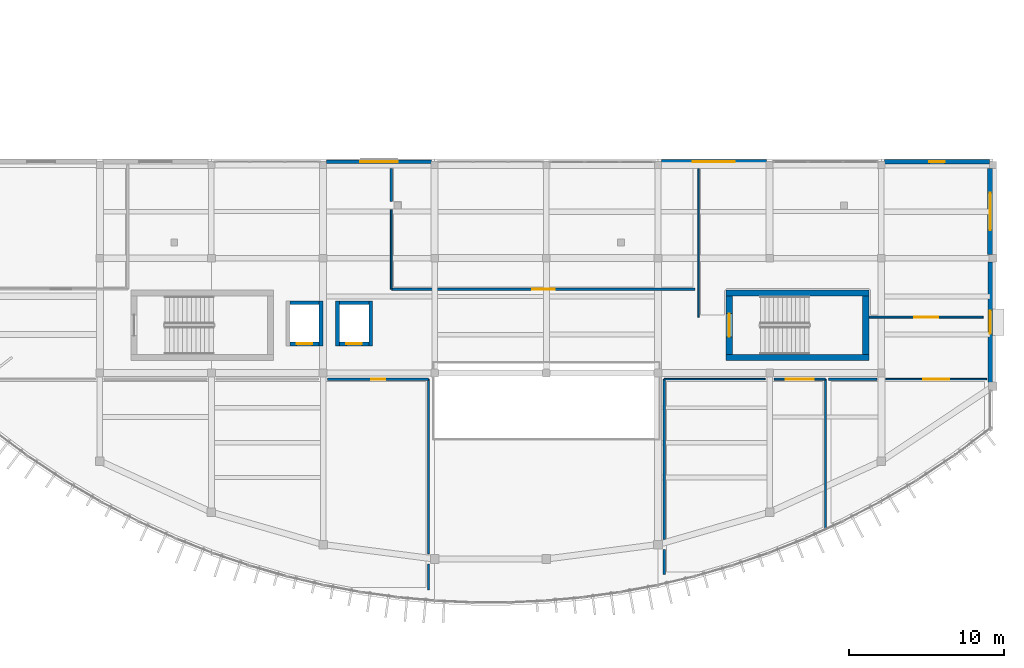
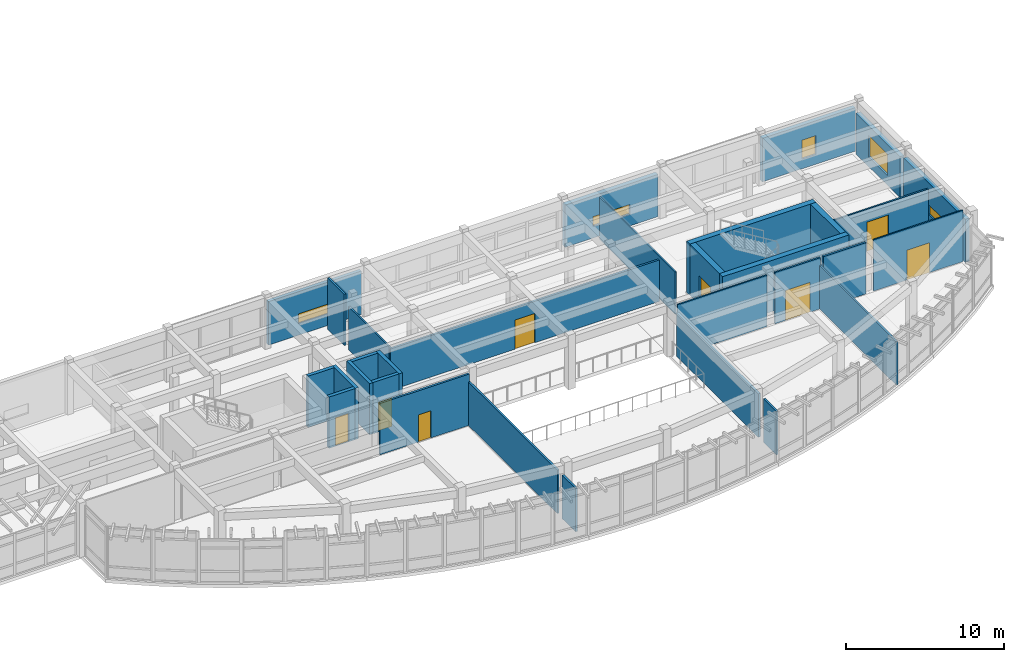
# One storey, part 41 of 60: 31 walls, 8 doors, 5 windows, 13 openings.
"""IFC4 building model written with IfcOpenShell, lengths in metres."""

import ifcopenshell
import ifcopenshell.guid

model = None  # the IFC model being written
_history = None  # IfcOwnerHistory: only IFC2X3 demands one
_inside = {}  # id of a spatial element -> (the spatial element, [elements in it])
_under = {}  # id of a project, library or spatial element -> (it, [spatial elements below it])
_declared = {}  # id of a project -> (the project, [libraries it declares])
_typed = {}  # id of a type object -> (the type object, [elements of that type])
_made_of = {}  # id of a material, layer set ... -> (it, [elements and type objects made of it])


def new_model(schema):
    """Start an empty IFC model of exactly this schema.

    Asked for "IFC4X3", IfcOpenShell would pick the latest addendum, in which some entities
    have other attributes; the version numbers below select the first issue.
    IFC2X3 requires an IfcOwnerHistory on every rooted entity: one is made here for all.
    """
    global model, _history
    if schema == "IFC4X3":
        model = ifcopenshell.file(schema_version=(4, 3, 0, 0))
    else:
        model = ifcopenshell.file(schema=schema)
    _inside.clear()
    _under.clear()
    _declared.clear()
    _typed.clear()
    _made_of.clear()
    _history = None
    if model.schema == "IFC2X3":
        org = make("IfcOrganization", Name="unknown")
        user = make(
            "IfcPersonAndOrganization",
            ThePerson=make("IfcPerson", FamilyName="unknown"),
            TheOrganization=org,
        )
        app = make(
            "IfcApplication",
            ApplicationDeveloper=org,
            Version="unknown",
            ApplicationFullName="unknown",
            ApplicationIdentifier="unknown",
        )
        _history = make(
            "IfcOwnerHistory",
            OwningUser=user,
            OwningApplication=app,
            ChangeAction="ADDED",
            CreationDate=0,
        )
    return model


def make(cls, **values):
    """One entity of the class cls with the attributes given. An attribute that is None is left unset."""
    return model.create_entity(
        cls, **{name: value for name, value in values.items() if value is not None}
    )


def rooted(cls, **values):
    """An entity with a GlobalId (a new one), such as an element, a storey or a relation."""
    return make(cls, GlobalId=ifcopenshell.guid.new(), OwnerHistory=_history, **values)


def si_unit(unit_type, name, prefix=None):
    """IfcSIUnit, for example si_unit("LENGTHUNIT", "METRE", prefix="MILLI")."""
    return make("IfcSIUnit", UnitType=unit_type, Prefix=prefix, Name=name)


def assignment(units):
    """IfcUnitAssignment: the units of a project."""
    return None if units is None else make("IfcUnitAssignment", Units=units)


def point(xyz):
    """IfcCartesianPoint."""
    return None if xyz is None else make("IfcCartesianPoint", Coordinates=xyz)


def direction(xyz):
    """IfcDirection."""
    return None if xyz is None else make("IfcDirection", DirectionRatios=xyz)


def frame(location, z_axis=None, x_axis=None):
    """IfcAxis2Placement3D, a coordinate frame: its origin and axes. An axis left out is left unset."""
    return make(
        "IfcAxis2Placement3D",
        Location=point(location),
        Axis=direction(z_axis),
        RefDirection=direction(x_axis),
    )


def frame_2d(location, x_axis=None):
    """IfcAxis2Placement2D, a coordinate frame in the plane: its origin and x axis."""
    return make(
        "IfcAxis2Placement2D", Location=point(location), RefDirection=direction(x_axis)
    )


def origin():
    """The frame at (0, 0, 0) with its axes left unset."""
    return frame((0.0, 0.0, 0.0))


def place(relative_to, where):
    """IfcLocalPlacement: puts the frame where relative to a parent placement (None: the world)."""
    return make(
        "IfcLocalPlacement", PlacementRelTo=relative_to, RelativePlacement=where
    )


def context(
    kind, dimensions, precision=None, world=None, true_north=None, identifier=None
):
    """IfcGeometricRepresentationContext, for example the 3D "Model" context."""
    return make(
        "IfcGeometricRepresentationContext",
        ContextIdentifier=identifier,
        ContextType=kind,
        CoordinateSpaceDimension=dimensions,
        Precision=precision,
        WorldCoordinateSystem=world,
        TrueNorth=true_north,
    )


def subcontext(parent, identifier, kind, view, scale=None):
    """IfcGeometricRepresentationSubContext, for example "Body" below "Model"."""
    return make(
        "IfcGeometricRepresentationSubContext",
        ContextIdentifier=identifier,
        ContextType=kind,
        ParentContext=parent,
        TargetScale=scale,
        TargetView=view,
    )


def project(units=None, contexts=None):
    """IfcProject with its units and contexts."""
    return rooted(
        "IfcProject",
        Name="project",
        RepresentationContexts=contexts,
        UnitsInContext=assignment(units),
    )


def spatial(cls, under=None, at=None, **own):
    """A site, building, storey or space (cls), placed at a placement, below another one or the project."""
    s = rooted(cls, ObjectPlacement=at, **own)
    if under is not None:
        _under.setdefault(under.id(), (under, []))[1].append(s)
    return s


def profile(cls, at=None, kind="AREA", **sizes):
    """A parametric profile (cls). Its sizes go by their IFC names, for example OverallWidth=200.0."""
    return make(cls, ProfileType=kind, Position=at, **sizes)


def rectangle(**sizes):
    """IfcRectangleProfileDef."""
    return profile("IfcRectangleProfileDef", **sizes)


def extrude(swept, where, along, depth):
    """IfcExtrudedAreaSolid: the profile swept, set in the frame where, extruded along a direction by depth."""
    return make(
        "IfcExtrudedAreaSolid",
        SweptArea=swept,
        Position=where,
        ExtrudedDirection=direction(along),
        Depth=depth,
    )


def shape(context_of_items, identifier, shape_type, items):
    """IfcShapeRepresentation: the items that make up one representation, for example the "Body"."""
    return make(
        "IfcShapeRepresentation",
        ContextOfItems=context_of_items,
        RepresentationIdentifier=identifier,
        RepresentationType=shape_type,
        Items=items,
    )


def material(Name=None, Category=None):
    """IfcMaterial."""
    return make("IfcMaterial", Name=Name, Category=Category)


def layer(
    of_material, thickness, ventilated=None, Name=None, Category=None, Priority=None
):
    """IfcMaterialLayer: one layer of a wall or slab, of a material (None: an air gap)."""
    return make(
        "IfcMaterialLayer",
        Material=of_material,
        LayerThickness=thickness,
        IsVentilated=ventilated,
        Name=Name,
        Category=Category,
        Priority=Priority,
    )


def layer_set(layers, Name=None):
    """IfcMaterialLayerSet."""
    return make("IfcMaterialLayerSet", MaterialLayers=layers, LayerSetName=Name)


def made_of(thing, what):
    """Note that an element or type object is made of a material, layer set ...; save() writes the relation."""
    if what is not None:
        _made_of.setdefault(what.id(), (what, []))[1].append(thing)
    return thing


def type_object(cls, material=None, **own):
    """A type object (cls), such as IfcWallType, which elements share."""
    return made_of(rooted(cls, **own), material)


def element(
    cls,
    number,
    at=None,
    inside=None,
    cuts=None,
    type_object=None,
    material=None,
    context=None,
    identifier="Body",
    shape_type=None,
    held_by="IfcProductDefinitionShape",
    body=None,
    shapes=None,
    **own,
):
    """One element of the class cls, such as IfcWall. Its Tag is "e" and its number.

    at: its placement. inside: the storey or other place that contains it. cuts: it is an
    opening in that element (IfcRelVoidsElement). A single representation is given by context,
    identifier, shape_type and body (its items); several are given by shapes. held_by: the class
    of the entity that holds the representations. save() writes the other relations.
    """
    e = rooted(cls, Tag="e%d" % number, ObjectPlacement=at, **own)
    if body is not None:
        shapes = [shape(context, identifier, shape_type, body)]
    if shapes is not None:
        e.Representation = make(held_by, Representations=shapes)
    if inside is not None:
        _inside.setdefault(inside.id(), (inside, []))[1].append(e)
    if cuts is not None:
        rooted(
            "IfcRelVoidsElement", RelatingBuildingElement=cuts, RelatedOpeningElement=e
        )
    if type_object is not None:
        _typed.setdefault(type_object.id(), (type_object, []))[1].append(e)
    return made_of(e, material)


def fill(opening, filler):
    """IfcRelFillsElement: the door or window that sits in an opening."""
    return rooted(
        "IfcRelFillsElement",
        RelatingOpeningElement=opening,
        RelatedBuildingElement=filler,
    )


def aggregate(whole, parts):
    """IfcRelAggregates: a whole, such as a stair, and the parts it consists of."""
    return rooted("IfcRelAggregates", RelatingObject=whole, RelatedObjects=parts)


def save(model, path):
    """Write the relations noted so far, then the file.

    IfcRelAggregates (storeys below a building ...), IfcRelContainedInSpatialStructure (elements
    in a storey), IfcRelDefinesByType, IfcRelAssociatesMaterial and IfcRelDeclares: one each for
    every whole, place, type object, material and project.
    """
    for whole, parts in _under.values():
        aggregate(whole, parts)
    for where, things in _inside.values():
        rooted(
            "IfcRelContainedInSpatialStructure",
            RelatedElements=things,
            RelatingStructure=where,
        )
    for kind, things in _typed.values():
        rooted("IfcRelDefinesByType", RelatedObjects=things, RelatingType=kind)
    for what, things in _made_of.values():
        rooted("IfcRelAssociatesMaterial", RelatedObjects=things, RelatingMaterial=what)
    for by, libraries in _declared.values():
        rooted("IfcRelDeclares", RelatingContext=by, RelatedDefinitions=libraries)
    model.write(path)


model = new_model("IFC4")

# Units and contexts
model_context = context("Model", 3, precision=1e-05, world=origin(), true_north=direction((0.0, 1.0)))
body_context = subcontext(model_context, "Body", "Model", "MODEL_VIEW")
ifc_project = project(units=[si_unit("LENGTHUNIT", "METRE"), si_unit("AREAUNIT", "SQUARE_METRE"), si_unit("VOLUMEUNIT", "CUBIC_METRE"), si_unit("PLANEANGLEUNIT", "RADIAN"), si_unit("MASSUNIT", "GRAM", prefix="KILO")], contexts=[model_context])

# Site, building, storey
site_placement = place(None, origin())
site = spatial("IfcSite", under=ifc_project, at=site_placement, CompositionType="ELEMENT")
building_placement = place(site_placement, origin())
building = spatial("IfcBuilding", under=site, at=building_placement, Name="Brisavento Harbour Community Centre", CompositionType="ELEMENT")
storey_placement = place(building_placement, frame((0.0, 0.0, 4.5)))
storey = spatial("IfcBuildingStorey", under=building, at=storey_placement, Name="L01", CompositionType="ELEMENT", Elevation=4.5)

# Walls
ifc_material_1 = material(Name="Concrete C40/50", Category="concrete")
ifc_layer_1 = layer(ifc_material_1, 0.39990234375, Name="Concrete C40/50")
ifc_layer_set_1 = layer_set([ifc_layer_1], Name="Concrete C40/50")
wall_type_1 = type_object("IfcWallType", Name="WL-CORE-400", PredefinedType="SHEAR", material=ifc_layer_set_1)
for number, where, z_axis, x_axis, name in (
    (1, (155.60009765625, 16.0, 0.0), (0.0, 0.0, 1.0), (1.0, 0.0, 0.0), "L01 core C3B shear wall L"),
    (2, (164.800048828125, 20.14990234375, 0.0), (0.0, 0.0, 1.0), (-1.0, 0.0, 0.0), "L01 core C3B shear wall R"),
):
    element("IfcWall", number, at=place(storey_placement, frame(where, z_axis=z_axis, x_axis=x_axis)), inside=storey, type_object=wall_type_1, Name=name, PredefinedType="SHEAR", context=body_context, shape_type="SweptSolid", body=[
        extrude(rectangle(XDim=9.199951171875, YDim=0.39990234375, at=frame_2d((4.60009765625, 0.0))), origin(), (0.0, 0.0, 1.0), 3.949951171875),
    ])
wall_1_placement = place(storey_placement, frame((164.60009765625, 16.199951171875, 0.0), z_axis=(0.0, 0.0, 1.0), x_axis=(0.0, 1.0, 0.0)))
element("IfcWall", 3, at=wall_1_placement, inside=storey, type_object=wall_type_1, Name="L01 core C3B shear wall F", PredefinedType="SHEAR", context=body_context, shape_type="SweptSolid", body=[
    extrude(rectangle(XDim=3.75, YDim=0.39990234375, at=frame_2d((1.875, 0.0))), origin(), (0.0, 0.0, 1.0), 3.949951171875),
])

# Wall, opening, door
wall_2_placement = place(storey_placement, frame((155.800048828125, 19.949951171875, 0.0), z_axis=(0.0, 0.0, 1.0), x_axis=(0.0, -1.0, 0.0)))
wall_2 = element("IfcWall", 4, at=wall_2_placement, inside=storey, type_object=wall_type_1, Name="L01 core C3B shear wall N", PredefinedType="SHEAR", context=body_context, shape_type="SweptSolid", body=[
    extrude(rectangle(XDim=3.75, YDim=0.39990234375, at=frame_2d((1.875, 0.0))), origin(), (0.0, 0.0, 1.0), 3.949951171875),
])
opening_1_placement = place(wall_2_placement, frame((1.125, 0.0, 0.0)))
opening_1 = element("IfcOpeningElement", 5, at=opening_1_placement, cuts=wall_2, Name="Opening SD-01", PredefinedType="OPENING", context=body_context, shape_type="SweptSolid", body=[
    extrude(rectangle(XDim=1.5, YDim=2.199951171875, at=frame_2d((0.75, 1.10009765625))), frame((0.0, 0.2099609375, 0.0), z_axis=(0.0, -1.0, 0.0), x_axis=(1.0, 0.0, 0.0)), (0.0, 0.0, 1.0), 0.419921875),
])
ifc_material_2 = material(Name="Fire-rated steel door assembly", Category="steel")
door_type_1 = type_object("IfcDoorType", Name="DR-STAIR-150x220", OperationType="NOTDEFINED", PredefinedType="DOOR", material=ifc_material_2)
door_1_placement = place(opening_1_placement, origin())
door_1 = element("IfcDoor", 6, at=door_1_placement, inside=storey, type_object=door_type_1, Name="L01 exit stair ST-05 fire door", OperationType="SINGLE_SWING_RIGHT", OverallHeight=2.199951171875, OverallWidth=1.5, PredefinedType="DOOR", context=body_context, shape_type="SweptSolid", body=[
    extrude(rectangle(XDim=1.5, YDim=2.199951171875, at=frame_2d((0.75, 1.10009765625))), frame((0.0, 0.02490234375, 0.0), z_axis=(0.0, -1.0, 0.0), x_axis=(1.0, 0.0, 0.0)), (0.0, 0.0, 1.0), 0.050048828125),
])
fill(opening_1, door_1)

# Wall, opening, window
ifc_material_3 = material(Name="Terracotta masonry unit", Category="masonry")
ifc_layer_2 = layer(ifc_material_3, 0.239990234375, Name="Terracotta masonry unit")
ifc_layer_set_2 = layer_set([ifc_layer_2], Name="Terracotta masonry unit")
wall_type_2 = type_object("IfcWallType", Name="WL-EXT-240", PredefinedType="SOLIDWALL", material=ifc_layer_set_2)
wall_3_placement = place(storey_placement, frame((129.81005859375, 28.6201171875, 0.0), z_axis=(0.0, 0.0, 1.0), x_axis=(1.0, 0.0, 0.0)))
wall_3 = element("IfcWall", 7, at=wall_3_placement, inside=storey, type_object=wall_type_2, Name="L01 V3 exterior wall 0183", PredefinedType="SOLIDWALL", context=body_context, shape_type="SweptSolid", body=[
    extrude(rectangle(XDim=6.780029296875, YDim=0.239990234375, at=frame_2d((3.39013671875, 0.0))), origin(), (0.0, 0.0, 1.0), 3.35009765625),
])
opening_2_placement = place(wall_3_placement, frame((2.18994140625, 0.0, 0.89990234375)))
opening_2 = element("IfcOpeningElement", 8, at=opening_2_placement, cuts=wall_3, Name="Opening W-27", PredefinedType="OPENING", context=body_context, shape_type="SweptSolid", body=[
    extrude(rectangle(XDim=2.39990234375, YDim=0.75, at=frame_2d((1.199951171875, 0.375))), frame((0.0, 0.1298828125, 0.0), z_axis=(0.0, -1.0, 0.0), x_axis=(1.0, 0.0, 0.0)), (0.0, 0.0, 1.0), 0.260009765625),
])
ifc_material_4 = material(Name="Solar-control laminated low-E glass", Category="glass")
window_type_1 = type_object("IfcWindowType", Name="WIN-CAS-27", PartitioningType="SINGLE_PANEL", PredefinedType="WINDOW", material=ifc_material_4)
window_1_placement = place(opening_2_placement, origin())
window_1 = element("IfcWindow", 9, at=window_1_placement, inside=storey, type_object=window_type_1, Name="L01 V3 impact casement window 0063", OverallHeight=0.75, OverallWidth=2.39990234375, PartitioningType="SINGLE_PANEL", PredefinedType="WINDOW", context=body_context, shape_type="SweptSolid", body=[
    extrude(rectangle(XDim=2.39990234375, YDim=0.75, at=frame_2d((1.199951171875, 0.375))), frame((0.0, 0.030029296875, 0.0), z_axis=(0.0, -1.0, 0.0), x_axis=(1.0, 0.0, 0.0)), (0.0, 0.0, 1.0), 0.06005859375),
])
fill(opening_2, window_1)

ifc_material_5 = material(Name="Concrete C35/45", Category="concrete")
ifc_layer_3 = layer(ifc_material_5, 0.300048828125, Name="Concrete C35/45")
ifc_layer_set_3 = layer_set([ifc_layer_3], Name="Concrete C35/45")
wall_type_3 = type_object("IfcWallType", Name="WL-EXT-300", PredefinedType="SOLIDWALL", material=ifc_layer_set_3)
wall_4_placement = place(storey_placement, frame((172.6201171875, 22.1650390625, 0.0), z_axis=(0.0, 0.0, 1.0), x_axis=(0.0, -1.0, 0.0)))
wall_4 = element("IfcWall", 10, at=wall_4_placement, inside=storey, type_object=wall_type_3, Name="L01 V3 exterior wall 0180", PredefinedType="SOLIDWALL", context=body_context, shape_type="SweptSolid", body=[
    extrude(rectangle(XDim=7.777099609375, YDim=0.300048828125, at=frame_2d((3.888671875, 0.0))), origin(), (0.0, 0.0, 1.0), 3.330078125),
])
opening_3_placement = place(wall_4_placement, frame((3.138427734375, 0.0, 0.89990234375)))
opening_3 = element("IfcOpeningElement", 11, at=opening_3_placement, cuts=wall_4, Name="Opening W-24", PredefinedType="OPENING", context=body_context, shape_type="SweptSolid", body=[
    extrude(rectangle(XDim=1.5, YDim=0.75, at=frame_2d((0.75, 0.375))), frame((0.0, 0.16015625, 0.0), z_axis=(0.0, -1.0, 0.0), x_axis=(1.0, 0.0, 0.0)), (0.0, 0.0, 1.0), 0.320068359375),
])
window_type_2 = type_object("IfcWindowType", Name="WIN-CAS-24", PartitioningType="SINGLE_PANEL", PredefinedType="WINDOW", material=ifc_material_4)
window_2_placement = place(opening_3_placement, origin())
window_2 = element("IfcWindow", 12, at=window_2_placement, inside=storey, type_object=window_type_2, Name="L01 V3 impact casement window 0060", OverallHeight=0.75, OverallWidth=1.5, PartitioningType="SINGLE_PANEL", PredefinedType="WINDOW", context=body_context, shape_type="SweptSolid", body=[
    extrude(rectangle(XDim=1.5, YDim=0.75, at=frame_2d((0.75, 0.375))), frame((0.0, 0.030029296875, 0.0), z_axis=(0.0, -1.0, 0.0), x_axis=(1.0, 0.0, 0.0)), (0.0, 0.0, 1.0), 0.06005859375),
])
fill(opening_3, window_2)

wall_5_placement = place(storey_placement, frame((165.81005859375, 28.6201171875, 0.0), z_axis=(0.0, 0.0, 1.0), x_axis=(1.0, 0.0, 0.0)))
wall_5 = element("IfcWall", 13, at=wall_5_placement, inside=storey, type_object=wall_type_3, Name="L01 V3 exterior wall 0185", PredefinedType="SOLIDWALL", context=body_context, shape_type="SweptSolid", body=[
    extrude(rectangle(XDim=6.780029296875, YDim=0.300048828125, at=frame_2d((3.39013671875, 0.0))), origin(), (0.0, 0.0, 1.0), 3.35009765625),
])
opening_4_placement = place(wall_5_placement, frame((2.889892578125, 0.0, 0.75)))
opening_4 = element("IfcOpeningElement", 14, at=opening_4_placement, cuts=wall_5, Name="Opening W-29", PredefinedType="OPENING", context=body_context, shape_type="SweptSolid", body=[
    extrude(rectangle(XDim=1.0, YDim=1.449951171875, at=frame_2d((0.5, 0.72509765625))), frame((0.0, 0.16015625, 0.0), z_axis=(0.0, -1.0, 0.0), x_axis=(1.0, 0.0, 0.0)), (0.0, 0.0, 1.0), 0.320068359375),
])
window_type_3 = type_object("IfcWindowType", Name="WIN-CAS-29", PartitioningType="SINGLE_PANEL", PredefinedType="WINDOW", material=ifc_material_4)
window_3_placement = place(opening_4_placement, origin())
window_3 = element("IfcWindow", 15, at=window_3_placement, inside=storey, type_object=window_type_3, Name="L01 V3 impact casement window 0065", OverallHeight=1.449951171875, OverallWidth=1.0, PartitioningType="SINGLE_PANEL", PredefinedType="WINDOW", context=body_context, shape_type="SweptSolid", body=[
    extrude(rectangle(XDim=1.0, YDim=1.449951171875, at=frame_2d((0.5, 0.72509765625))), frame((0.0, 0.030029296875, 0.0), z_axis=(0.0, -1.0, 0.0), x_axis=(1.0, 0.0, 0.0)), (0.0, 0.0, 1.0), 0.06005859375),
])
fill(opening_4, window_3)

ifc_layer_4 = layer(ifc_material_5, 0.320068359375, Name="Concrete C35/45")
ifc_layer_set_4 = layer_set([ifc_layer_4], Name="Concrete C35/45")
wall_type_4 = type_object("IfcWallType", Name="WL-EXT-320", PredefinedType="SOLIDWALL", material=ifc_layer_set_4)
wall_6_placement = place(storey_placement, frame((172.6201171875, 28.18994140625, 0.0), z_axis=(0.0, 0.0, 1.0), x_axis=(0.0, -1.0, 0.0)))
wall_6 = element("IfcWall", 16, at=wall_6_placement, inside=storey, type_object=wall_type_4, Name="L01 V3 exterior wall 0179", PredefinedType="SOLIDWALL", context=body_context, shape_type="SweptSolid", body=[
    extrude(rectangle(XDim=5.554931640625, YDim=0.320068359375, at=frame_2d((2.77734375, 0.0))), origin(), (0.0, 0.0, 1.0), 3.14990234375),
])
opening_5_placement = place(wall_6_placement, frame((1.577392578125, 0.0, 0.75)))
opening_5 = element("IfcOpeningElement", 17, at=opening_5_placement, cuts=wall_6, Name="Opening W-23", PredefinedType="OPENING", context=body_context, shape_type="SweptSolid", body=[
    extrude(rectangle(XDim=2.39990234375, YDim=1.64990234375, at=frame_2d((1.199951171875, 0.824951171875))), frame((0.0, 0.169921875, 0.0), z_axis=(0.0, -1.0, 0.0), x_axis=(1.0, 0.0, 0.0)), (0.0, 0.0, 1.0), 0.340087890625),
])
window_type_4 = type_object("IfcWindowType", Name="WIN-CAS-23", PartitioningType="SINGLE_PANEL", PredefinedType="WINDOW", material=ifc_material_4)
window_4_placement = place(opening_5_placement, origin())
window_4 = element("IfcWindow", 18, at=window_4_placement, inside=storey, type_object=window_type_4, Name="L01 V3 impact casement window 0059", OverallHeight=1.64990234375, OverallWidth=2.39990234375, PartitioningType="SINGLE_PANEL", PredefinedType="WINDOW", context=body_context, shape_type="SweptSolid", body=[
    extrude(rectangle(XDim=2.39990234375, YDim=1.64990234375, at=frame_2d((1.199951171875, 0.824951171875))), frame((0.0, 0.030029296875, 0.0), z_axis=(0.0, -1.0, 0.0), x_axis=(1.0, 0.0, 0.0)), (0.0, 0.0, 1.0), 0.06005859375),
])
fill(opening_5, window_4)

wall_7_placement = place(storey_placement, frame((151.409912109375, 28.6201171875, 0.0), z_axis=(0.0, 0.0, 1.0), x_axis=(1.0, 0.0, 0.0)))
wall_7 = element("IfcWall", 19, at=wall_7_placement, inside=storey, type_object=wall_type_4, Name="L01 V3 exterior wall 0184", PredefinedType="SOLIDWALL", context=body_context, shape_type="SweptSolid", body=[
    extrude(rectangle(XDim=6.780029296875, YDim=0.320068359375, at=frame_2d((3.39013671875, 0.0))), origin(), (0.0, 0.0, 1.0), 3.25),
])
opening_6_placement = place(wall_7_placement, frame((2.0400390625, 0.0, 0.89990234375)))
opening_6 = element("IfcOpeningElement", 20, at=opening_6_placement, cuts=wall_7, Name="Opening W-28", PredefinedType="OPENING", context=body_context, shape_type="SweptSolid", body=[
    extrude(rectangle(XDim=2.699951171875, YDim=0.75, at=frame_2d((1.35009765625, 0.375))), frame((0.0, 0.169921875, 0.0), z_axis=(0.0, -1.0, 0.0), x_axis=(1.0, 0.0, 0.0)), (0.0, 0.0, 1.0), 0.340087890625),
])
window_type_5 = type_object("IfcWindowType", Name="WIN-CAS-28", PartitioningType="SINGLE_PANEL", PredefinedType="WINDOW", material=ifc_material_4)
window_5_placement = place(opening_6_placement, origin())
window_5 = element("IfcWindow", 21, at=window_5_placement, inside=storey, type_object=window_type_5, Name="L01 V3 impact casement window 0064", OverallHeight=0.75, OverallWidth=2.699951171875, PartitioningType="SINGLE_PANEL", PredefinedType="WINDOW", context=body_context, shape_type="SweptSolid", body=[
    extrude(rectangle(XDim=2.699951171875, YDim=0.75, at=frame_2d((1.35009765625, 0.375))), frame((0.0, 0.030029296875, 0.0), z_axis=(0.0, -1.0, 0.0), x_axis=(1.0, 0.0, 0.0)), (0.0, 0.0, 1.0), 0.06005859375),
])
fill(opening_6, window_5)

# Wall
ifc_material_6 = material(Name="Lightweight stud partition", Category="other")
ifc_layer_5 = layer(ifc_material_6, 0.10009765625, Name="Lightweight stud partition")
ifc_layer_set_5 = layer_set([ifc_layer_5], Name="Lightweight stud partition")
wall_type_5 = type_object("IfcWallType", Name="WL-PRT-100", PredefinedType="PARTITIONING", material=ifc_layer_set_5)
wall_8_placement = place(storey_placement, frame((158.110107421875, 14.60009765625, 0.0), z_axis=(0.0, 0.0, 1.0), x_axis=(-1.0, 0.0, 0.0)))
element("IfcWall", 22, at=wall_8_placement, inside=storey, type_object=wall_type_5, Name="L01 Adult Classroom 101 partition 0163", PredefinedType="PARTITIONING", context=body_context, shape_type="SweptSolid", body=[
    extrude(rectangle(XDim=6.510009765625, YDim=0.10009765625, at=frame_2d((3.2548828125, 0.0))), origin(), (0.0, 0.0, 1.0), 3.949951171875),
])

# Wall, opening, door
wall_9_placement = place(storey_placement, frame((172.39990234375, 14.60009765625, 0.0), z_axis=(0.0, 0.0, 1.0), x_axis=(-1.0, 0.0, 0.0)))
wall_9 = element("IfcWall", 23, at=wall_9_placement, inside=storey, type_object=wall_type_5, Name="L01 Adult Classroom 102 partition 0167", PredefinedType="PARTITIONING", context=body_context, shape_type="SweptSolid", body=[
    extrude(rectangle(XDim=6.510009765625, YDim=0.10009765625, at=frame_2d((3.2548828125, 0.0))), origin(), (0.0, 0.0, 1.0), 3.949951171875),
])
opening_7_placement = place(wall_9_placement, frame((2.429931640625, 0.0, 0.0)))
opening_7 = element("IfcOpeningElement", 24, at=opening_7_placement, cuts=wall_9, Name="Opening ID-02", PredefinedType="OPENING", context=body_context, shape_type="SweptSolid", body=[
    extrude(rectangle(XDim=1.64990234375, YDim=2.300048828125, at=frame_2d((0.824951171875, 1.14990234375))), frame((0.0, 0.06005859375, 0.0), z_axis=(0.0, -1.0, 0.0), x_axis=(1.0, 0.0, 0.0)), (0.0, 0.0, 1.0), 0.1201171875),
])
ifc_material_7 = material(Name="Solid-core tropical timber door", Category="wood")
door_type_2 = type_object("IfcDoorType", Name="DR-INT-165x230", OperationType="NOTDEFINED", PredefinedType="DOOR", material=ifc_material_7)
door_2_placement = place(opening_7_placement, origin())
door_2 = element("IfcDoor", 25, at=door_2_placement, inside=storey, type_object=door_type_2, Name="L01 Adult Classroom 102 door 0057", OperationType="SINGLE_SWING_RIGHT", OverallHeight=2.300048828125, OverallWidth=1.64990234375, PredefinedType="DOOR", context=body_context, shape_type="SweptSolid", body=[
    extrude(rectangle(XDim=1.64990234375, YDim=2.300048828125, at=frame_2d((0.824951171875, 1.14990234375))), frame((0.0, 0.02490234375, 0.0), z_axis=(0.0, -1.0, 0.0), x_axis=(1.0, 0.0, 0.0)), (0.0, 0.0, 1.0), 0.050048828125),
])
fill(opening_7, door_2)

# Wall
wall_10_placement = place(storey_placement, frame((153.800048828125, 28.169921875, 0.0), z_axis=(0.0, 0.0, 1.0), x_axis=(0.0, -1.0, 0.0)))
element("IfcWall", 26, at=wall_10_placement, inside=storey, type_object=wall_type_5, Name="L01 Local History Reading Room partition 0171", PredefinedType="PARTITIONING", context=body_context, shape_type="SweptSolid", body=[
    extrude(rectangle(XDim=9.56982421875, YDim=0.10009765625, at=frame_2d((4.784912109375, 0.0))), origin(), (0.0, 0.0, 1.0), 3.25),
])

# Wall, opening, door
ifc_material_8 = material(Name="Gypsum metal-stud partition", Category="other")
ifc_layer_6 = layer(ifc_material_8, 0.1201171875, Name="Gypsum metal-stud partition")
ifc_layer_set_6 = layer_set([ifc_layer_6], Name="Gypsum metal-stud partition")
wall_type_6 = type_object("IfcWallType", Name="WL-PRT-120", PredefinedType="PARTITIONING", material=ifc_layer_set_6)
wall_11_placement = place(storey_placement, frame((162.0, 14.60009765625, 0.0), z_axis=(0.0, 0.0, 1.0), x_axis=(-1.0, 0.0, 0.0)))
wall_11 = element("IfcWall", 27, at=wall_11_placement, inside=storey, type_object=wall_type_6, Name="L01 Adult Classroom 101 partition 0162", PredefinedType="PARTITIONING", context=body_context, shape_type="SweptSolid", body=[
    extrude(rectangle(XDim=3.31005859375, YDim=0.1201171875, at=frame_2d((1.655029296875, 0.0))), origin(), (0.0, 0.0, 1.0), 3.949951171875),
])
opening_8_placement = place(wall_11_placement, frame((0.7548828125, 0.0, 0.0)))
opening_8 = element("IfcOpeningElement", 28, at=opening_8_placement, cuts=wall_11, Name="Opening ID-01", PredefinedType="OPENING", context=body_context, shape_type="SweptSolid", body=[
    extrude(rectangle(XDim=1.800048828125, YDim=2.300048828125, at=frame_2d((0.89990234375, 1.14990234375))), frame((0.0, 0.070068359375, 0.0), z_axis=(0.0, -1.0, 0.0), x_axis=(1.0, 0.0, 0.0)), (0.0, 0.0, 1.0), 0.14013671875),
])
door_type_3 = type_object("IfcDoorType", Name="DR-INT-180x230", OperationType="NOTDEFINED", PredefinedType="DOOR", material=ifc_material_7)
door_3_placement = place(opening_8_placement, origin())
door_3 = element("IfcDoor", 29, at=door_3_placement, inside=storey, type_object=door_type_3, Name="L01 Adult Classroom 101 door 0056", OperationType="SINGLE_SWING_LEFT", OverallHeight=2.300048828125, OverallWidth=1.800048828125, PredefinedType="DOOR", context=body_context, shape_type="SweptSolid", body=[
    extrude(rectangle(XDim=1.800048828125, YDim=2.300048828125, at=frame_2d((0.89990234375, 1.14990234375))), frame((0.0, 0.02490234375, 0.0), z_axis=(0.0, -1.0, 0.0), x_axis=(1.0, 0.0, 0.0)), (0.0, 0.0, 1.0), 0.050048828125),
])
fill(opening_8, door_3)

# Wall
wall_12_placement = place(storey_placement, frame((162.0, 4.87060546875, 0.0), z_axis=(0.0, 0.0, 1.0), x_axis=(0.0, 1.0, 0.0)))
element("IfcWall", 30, at=wall_12_placement, inside=storey, type_object=wall_type_6, Name="L01 Adult Classroom 101 partition 0166", PredefinedType="PARTITIONING", context=body_context, shape_type="SweptSolid", body=[
    extrude(rectangle(XDim=9.7294921875, YDim=0.1201171875, at=frame_2d((4.86474609375, 0.0))), origin(), (0.0, 0.0, 1.0), 3.35009765625),
])

# Wall, opening, door
wall_13_placement = place(storey_placement, frame((164.81005859375, 18.60009765625, 0.0), z_axis=(0.0, 0.0, 1.0), x_axis=(1.0, 0.0, 0.0)))
wall_13 = element("IfcWall", 31, at=wall_13_placement, inside=storey, type_object=wall_type_6, Name="L01 Local History Reading Room partition 0170", PredefinedType="PARTITIONING", context=body_context, shape_type="SweptSolid", body=[
    extrude(rectangle(XDim=7.35986328125, YDim=0.1201171875, at=frame_2d((3.679931640625, 0.0))), origin(), (0.0, 0.0, 1.0), 3.25),
])
opening_9_placement = place(wall_13_placement, frame((2.905029296875, 0.0, 0.0)))
opening_9 = element("IfcOpeningElement", 32, at=opening_9_placement, cuts=wall_13, Name="Opening ID-03", PredefinedType="OPENING", context=body_context, shape_type="SweptSolid", body=[
    extrude(rectangle(XDim=1.550048828125, YDim=2.25, at=frame_2d((0.77490234375, 1.125))), frame((0.0, 0.070068359375, 0.0), z_axis=(0.0, -1.0, 0.0), x_axis=(1.0, 0.0, 0.0)), (0.0, 0.0, 1.0), 0.14013671875),
])
door_type_4 = type_object("IfcDoorType", Name="DR-INT-155x225", OperationType="NOTDEFINED", PredefinedType="DOOR", material=ifc_material_7)
door_4_placement = place(opening_9_placement, origin())
door_4 = element("IfcDoor", 33, at=door_4_placement, inside=storey, type_object=door_type_4, Name="L01 Local History Reading Room door 0058", OperationType="SINGLE_SWING_LEFT", OverallHeight=2.25, OverallWidth=1.550048828125, PredefinedType="DOOR", context=body_context, shape_type="SweptSolid", body=[
    extrude(rectangle(XDim=1.550048828125, YDim=2.25, at=frame_2d((0.77490234375, 1.125))), frame((0.0, 0.02490234375, 0.0), z_axis=(0.0, -1.0, 0.0), x_axis=(1.0, 0.0, 0.0)), (0.0, 0.0, 1.0), 0.050048828125),
])
fill(opening_9, door_4)

# Walls
wall_14_placement = place(storey_placement, frame((134.0, 25.534912109375, 0.0), z_axis=(0.0, 0.0, 1.0), x_axis=(0.0, -1.0, 0.0)))
element("IfcWall", 34, at=wall_14_placement, inside=storey, type_object=wall_type_6, Name="L01 Community Computer Study Room partition 0174", PredefinedType="PARTITIONING", context=body_context, shape_type="SweptSolid", body=[
    extrude(rectangle(XDim=5.135009765625, YDim=0.1201171875, at=frame_2d((2.5673828125, 0.0))), origin(), (0.0, 0.0, 1.0), 3.330078125),
])
ifc_layer_7 = layer(ifc_material_8, 0.139892578125, Name="Gypsum metal-stud partition")
ifc_layer_set_7 = layer_set([ifc_layer_7], Name="Gypsum metal-stud partition")
wall_type_7 = type_object("IfcWallType", Name="WL-PRT-140", PredefinedType="PARTITIONING", material=ifc_layer_set_7)
wall_15_placement = place(storey_placement, frame((136.39990234375, 3.31494140625, 0.0), z_axis=(0.0, 0.0, 1.0), x_axis=(0.0, 1.0, 0.0)))
element("IfcWall", 35, at=wall_15_placement, inside=storey, type_object=wall_type_7, Name="L01 Public Library Lending Hall partition 0161", PredefinedType="PARTITIONING", context=body_context, shape_type="SweptSolid", body=[
    extrude(rectangle(XDim=11.28515625, YDim=0.139892578125, at=frame_2d((5.642578125, 0.0))), origin(), (0.0, 0.0, 1.0), 3.35009765625),
])
wall_16_placement = place(storey_placement, frame((151.60009765625, 3.618896484375, 0.0), z_axis=(0.0, 0.0, 1.0), x_axis=(0.0, -1.0, 0.0)))
element("IfcWall", 36, at=wall_16_placement, inside=storey, type_object=wall_type_7, Name="L01 Adult Classroom 101 partition 0165", PredefinedType="PARTITIONING", context=body_context, shape_type="SweptSolid", body=[
    extrude(rectangle(XDim=1.618896484375, YDim=0.139892578125, at=frame_2d((0.8095703125, 0.0))), origin(), (0.0, 0.0, 1.0), 3.35009765625),
])
wall_17_placement = place(storey_placement, frame((134.0, 28.169921875, 0.0), z_axis=(0.0, 0.0, 1.0), x_axis=(0.0, -1.0, 0.0)))
element("IfcWall", 37, at=wall_17_placement, inside=storey, type_object=wall_type_7, Name="L01 Community Computer Study Room partition 0173", PredefinedType="PARTITIONING", context=body_context, shape_type="SweptSolid", body=[
    extrude(rectangle(XDim=2.10498046875, YDim=0.139892578125, at=frame_2d((1.052490234375, 0.0))), origin(), (0.0, 0.0, 1.0), 3.949951171875),
])

# Wall, opening, door
ifc_material_9 = material(Name="Moisture-resistant stud partition", Category="other")
ifc_layer_8 = layer(ifc_material_9, 0.14990234375, Name="Moisture-resistant stud partition")
ifc_layer_set_8 = layer_set([ifc_layer_8], Name="Moisture-resistant stud partition")
wall_type_8 = type_object("IfcWallType", Name="WL-PRT-150", PredefinedType="PARTITIONING", material=ifc_layer_set_8)
wall_18_placement = place(storey_placement, frame((136.39990234375, 14.60009765625, 0.0), z_axis=(0.0, 0.0, 1.0), x_axis=(-1.0, 0.0, 0.0)))
wall_18 = element("IfcWall", 38, at=wall_18_placement, inside=storey, type_object=wall_type_8, Name="L01 Public Library Lending Hall partition 0156", PredefinedType="PARTITIONING", context=body_context, shape_type="SweptSolid", body=[
    extrude(rectangle(XDim=6.510009765625, YDim=0.14990234375, at=frame_2d((3.2548828125, 0.0))), origin(), (0.0, 0.0, 1.0), 3.949951171875),
])
opening_10_placement = place(wall_18_placement, frame((2.804931640625, 0.0, 0.0)))
opening_10 = element("IfcOpeningElement", 39, at=opening_10_placement, cuts=wall_18, Name="Opening ID-11", PredefinedType="OPENING", context=body_context, shape_type="SweptSolid", body=[
    extrude(rectangle(XDim=0.89990234375, YDim=2.10009765625, at=frame_2d((0.449951171875, 1.050048828125))), frame((0.0, 0.0849609375, 0.0), z_axis=(0.0, -1.0, 0.0), x_axis=(1.0, 0.0, 0.0)), (0.0, 0.0, 1.0), 0.169921875),
])
door_type_5 = type_object("IfcDoorType", Name="DR-INT-090x210", OperationType="NOTDEFINED", PredefinedType="DOOR", material=ifc_material_7)
door_5_placement = place(opening_10_placement, origin())
door_5 = element("IfcDoor", 40, at=door_5_placement, inside=storey, type_object=door_type_5, Name="L01 Public Library Lending Hall door 0055", OperationType="SINGLE_SWING_RIGHT", OverallHeight=2.10009765625, OverallWidth=0.89990234375, PredefinedType="DOOR", context=body_context, shape_type="SweptSolid", body=[
    extrude(rectangle(XDim=0.89990234375, YDim=2.10009765625, at=frame_2d((0.449951171875, 1.050048828125))), frame((0.0, 0.02490234375, 0.0), z_axis=(0.0, -1.0, 0.0), x_axis=(1.0, 0.0, 0.0)), (0.0, 0.0, 1.0), 0.050048828125),
])
fill(opening_10, door_5)

# Walls
wall_19_placement = place(storey_placement, frame((136.39990234375, 1.0, 0.0), z_axis=(0.0, 0.0, 1.0), x_axis=(0.0, 1.0, 0.0)))
element("IfcWall", 41, at=wall_19_placement, inside=storey, type_object=wall_type_8, Name="L01 Public Library Lending Hall partition 0160", PredefinedType="PARTITIONING", context=body_context, shape_type="SweptSolid", body=[
    extrude(rectangle(XDim=1.68505859375, YDim=0.14990234375, at=frame_2d((0.842529296875, 0.0))), origin(), (0.0, 0.0, 1.0), 3.35009765625),
])
wall_20_placement = place(storey_placement, frame((151.60009765625, 14.60009765625, 0.0), z_axis=(0.0, 0.0, 1.0), x_axis=(0.0, -1.0, 0.0)))
element("IfcWall", 42, at=wall_20_placement, inside=storey, type_object=wall_type_8, Name="L01 Adult Classroom 101 partition 0164", PredefinedType="PARTITIONING", context=body_context, shape_type="SweptSolid", body=[
    extrude(rectangle(XDim=10.35107421875, YDim=0.14990234375, at=frame_2d((5.175537109375, 0.0))), origin(), (0.0, 0.0, 1.0), 3.35009765625),
])
wall_21_placement = place(storey_placement, frame((165.31005859375, 14.60009765625, 0.0), z_axis=(0.0, 0.0, 1.0), x_axis=(-1.0, 0.0, 0.0)))
element("IfcWall", 43, at=wall_21_placement, inside=storey, type_object=wall_type_8, Name="L01 Adult Classroom 102 partition 0168", PredefinedType="PARTITIONING", context=body_context, shape_type="SweptSolid", body=[
    extrude(rectangle(XDim=3.110107421875, YDim=0.14990234375, at=frame_2d((1.55517578125, 0.0))), origin(), (0.0, 0.0, 1.0), 3.949951171875),
])

# Wall, opening, door
wall_22_placement = place(storey_placement, frame((134.0, 20.39990234375, 0.0), z_axis=(0.0, 0.0, 1.0), x_axis=(1.0, 0.0, 0.0)))
wall_22 = element("IfcWall", 44, at=wall_22_placement, inside=storey, type_object=wall_type_8, Name="L01 Community Computer Study Room partition 0172", PredefinedType="PARTITIONING", context=body_context, shape_type="SweptSolid", body=[
    extrude(rectangle(XDim=19.60009765625, YDim=0.14990234375, at=frame_2d((9.800048828125, 0.0))), origin(), (0.0, 0.0, 1.0), 3.199951171875),
])
opening_11_placement = place(wall_22_placement, frame((9.074951171875, 0.0, 0.0)))
opening_11 = element("IfcOpeningElement", 45, at=opening_11_placement, cuts=wall_22, Name="Opening ID-04", PredefinedType="OPENING", context=body_context, shape_type="SweptSolid", body=[
    extrude(rectangle(XDim=1.449951171875, YDim=2.25, at=frame_2d((0.72509765625, 1.125))), frame((0.0, 0.0849609375, 0.0), z_axis=(0.0, -1.0, 0.0), x_axis=(1.0, 0.0, 0.0)), (0.0, 0.0, 1.0), 0.169921875),
])
door_type_6 = type_object("IfcDoorType", Name="DR-INT-145x225", OperationType="NOTDEFINED", PredefinedType="DOOR", material=ifc_material_7)
door_6_placement = place(opening_11_placement, origin())
door_6 = element("IfcDoor", 46, at=door_6_placement, inside=storey, type_object=door_type_6, Name="L01 Community Computer Study Room door 0059", OperationType="SINGLE_SWING_RIGHT", OverallHeight=2.25, OverallWidth=1.449951171875, PredefinedType="DOOR", context=body_context, shape_type="SweptSolid", body=[
    extrude(rectangle(XDim=1.449951171875, YDim=2.25, at=frame_2d((0.72509765625, 1.125))), frame((0.0, 0.02490234375, 0.0), z_axis=(0.0, -1.0, 0.0), x_axis=(1.0, 0.0, 0.0)), (0.0, 0.0, 1.0), 0.050048828125),
])
fill(opening_11, door_6)

# Wall
ifc_layer_9 = layer(ifc_material_5, 0.25, Name="Concrete C35/45")
ifc_layer_set_9 = layer_set([ifc_layer_9], Name="Concrete C35/45")
wall_type_9 = type_object("IfcWallType", Name="WL-SHF-250", PredefinedType="SOLIDWALL", material=ifc_layer_set_9)
wall_23_placement = place(storey_placement, frame((129.47509765625, 19.64990234375, 0.0), z_axis=(0.0, 0.0, 1.0), x_axis=(0.0, -1.0, 0.0)))
element("IfcWall", 47, at=wall_23_placement, inside=storey, type_object=wall_type_9, Name="L01 lift LC-02 shaft wall E", PredefinedType="SOLIDWALL", context=body_context, shape_type="SweptSolid", body=[
    extrude(rectangle(XDim=2.89990234375, YDim=0.25, at=frame_2d((1.449951171875, 0.0))), origin(), (0.0, 0.0, 1.0), 3.949951171875),
])

# Wall, opening, door
wall_24_placement = place(storey_placement, frame((127.449951171875, 16.875, 0.0), z_axis=(0.0, 0.0, 1.0), x_axis=(1.0, 0.0, 0.0)))
wall_24 = element("IfcWall", 48, at=wall_24_placement, inside=storey, type_object=wall_type_9, Name="L01 lift LC-02 shaft wall S", PredefinedType="SOLIDWALL", context=body_context, shape_type="SweptSolid", body=[
    extrude(rectangle(XDim=1.900146484375, YDim=0.25, at=frame_2d((0.9501953125, 0.0))), origin(), (0.0, 0.0, 1.0), 3.949951171875),
])
opening_12_placement = place(wall_24_placement, frame((0.449951171875, 0.0, 0.0)))
opening_12 = element("IfcOpeningElement", 49, at=opening_12_placement, cuts=wall_24, Name="Opening LD-02", PredefinedType="OPENING", context=body_context, shape_type="SweptSolid", body=[
    extrude(rectangle(XDim=1.0, YDim=2.199951171875, at=frame_2d((0.5, 1.10009765625))), frame((0.0, 0.135009765625, 0.0), z_axis=(0.0, -1.0, 0.0), x_axis=(1.0, 0.0, 0.0)), (0.0, 0.0, 1.0), 0.27001953125),
])
ifc_material_10 = material(Name="Stainless steel 1.4401", Category="steel")
door_type_7 = type_object("IfcDoorType", Name="DR-LIFT-100x220", OperationType="DOUBLE_DOOR_SLIDING", PredefinedType="DOOR", material=ifc_material_10)
door_7_placement = place(opening_12_placement, origin())
door_7 = element("IfcDoor", 50, at=door_7_placement, inside=storey, type_object=door_type_7, Name="L01 lift LC-02 landing sliding door", OperationType="DOUBLE_DOOR_SLIDING", OverallHeight=2.199951171875, OverallWidth=1.0, PredefinedType="DOOR", context=body_context, shape_type="SweptSolid", body=[
    extrude(rectangle(XDim=1.0, YDim=2.199951171875, at=frame_2d((0.5, 1.10009765625))), frame((0.0, 0.02490234375, 0.0), z_axis=(0.0, -1.0, 0.0), x_axis=(1.0, 0.0, 0.0)), (0.0, 0.0, 1.0), 0.050048828125),
])
fill(opening_12, door_7)

# Walls
wall_25_placement = place(storey_placement, frame((129.35009765625, 19.52490234375, 0.0), z_axis=(0.0, 0.0, 1.0), x_axis=(-1.0, 0.0, 0.0)))
element("IfcWall", 51, at=wall_25_placement, inside=storey, type_object=wall_type_9, Name="L01 lift LC-02 shaft wall N", PredefinedType="SOLIDWALL", context=body_context, shape_type="SweptSolid", body=[
    extrude(rectangle(XDim=1.900146484375, YDim=0.25, at=frame_2d((0.9501953125, 0.0))), origin(), (0.0, 0.0, 1.0), 3.949951171875),
])
for number, where, z_axis, x_axis, name in (
    (52, (130.52490234375, 16.75, 0.0), (0.0, 0.0, 1.0), (0.0, 1.0, 0.0), "L01 lift LC-03 shaft wall W"),
    (53, (132.675048828125, 19.64990234375, 0.0), (0.0, 0.0, 1.0), (0.0, -1.0, 0.0), "L01 lift LC-03 shaft wall E"),
):
    element("IfcWall", number, at=place(storey_placement, frame(where, z_axis=z_axis, x_axis=x_axis)), inside=storey, type_object=wall_type_9, Name=name, PredefinedType="SOLIDWALL", context=body_context, shape_type="SweptSolid", body=[
        extrude(rectangle(XDim=2.89990234375, YDim=0.25, at=frame_2d((1.449951171875, 0.0))), origin(), (0.0, 0.0, 1.0), 3.949951171875),
    ])

# Wall, opening, door
wall_26_placement = place(storey_placement, frame((130.64990234375, 16.875, 0.0), z_axis=(0.0, 0.0, 1.0), x_axis=(1.0, 0.0, 0.0)))
wall_26 = element("IfcWall", 54, at=wall_26_placement, inside=storey, type_object=wall_type_9, Name="L01 lift LC-03 shaft wall S", PredefinedType="SOLIDWALL", context=body_context, shape_type="SweptSolid", body=[
    extrude(rectangle(XDim=1.900146484375, YDim=0.25, at=frame_2d((0.9501953125, 0.0))), origin(), (0.0, 0.0, 1.0), 3.949951171875),
])
opening_13_placement = place(wall_26_placement, frame((0.449951171875, 0.0, 0.0)))
opening_13 = element("IfcOpeningElement", 55, at=opening_13_placement, cuts=wall_26, Name="Opening LD-02", PredefinedType="OPENING", context=body_context, shape_type="SweptSolid", body=[
    extrude(rectangle(XDim=1.0, YDim=2.199951171875, at=frame_2d((0.5, 1.10009765625))), frame((0.0, 0.135009765625, 0.0), z_axis=(0.0, -1.0, 0.0), x_axis=(1.0, 0.0, 0.0)), (0.0, 0.0, 1.0), 0.27001953125),
])
door_8_placement = place(opening_13_placement, origin())
door_8 = element("IfcDoor", 56, at=door_8_placement, inside=storey, type_object=door_type_7, Name="L01 lift LC-03 landing sliding door", OperationType="DOUBLE_DOOR_SLIDING", OverallHeight=2.199951171875, OverallWidth=1.0, PredefinedType="DOOR", context=body_context, shape_type="SweptSolid", body=[
    extrude(rectangle(XDim=1.0, YDim=2.199951171875, at=frame_2d((0.5, 1.10009765625))), frame((0.0, 0.02490234375, 0.0), z_axis=(0.0, -1.0, 0.0), x_axis=(1.0, 0.0, 0.0)), (0.0, 0.0, 1.0), 0.050048828125),
])
fill(opening_13, door_8)

# Wall
wall_27_placement = place(storey_placement, frame((132.550048828125, 19.52490234375, 0.0), z_axis=(0.0, 0.0, 1.0), x_axis=(-1.0, 0.0, 0.0)))
element("IfcWall", 57, at=wall_27_placement, inside=storey, type_object=wall_type_9, Name="L01 lift LC-03 shaft wall N", PredefinedType="SOLIDWALL", context=body_context, shape_type="SweptSolid", body=[
    extrude(rectangle(XDim=1.900146484375, YDim=0.25, at=frame_2d((0.9501953125, 0.0))), origin(), (0.0, 0.0, 1.0), 3.949951171875),
])

save(model, "model.ifc")
